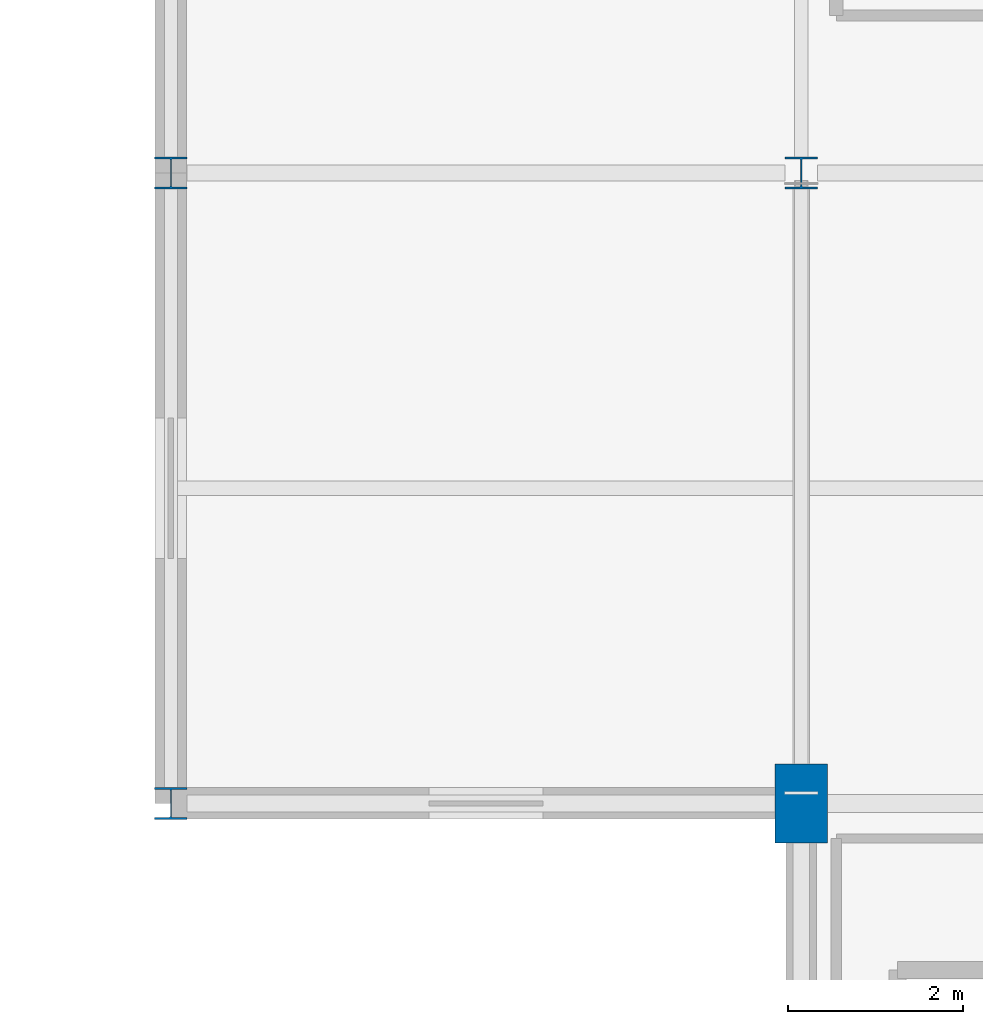
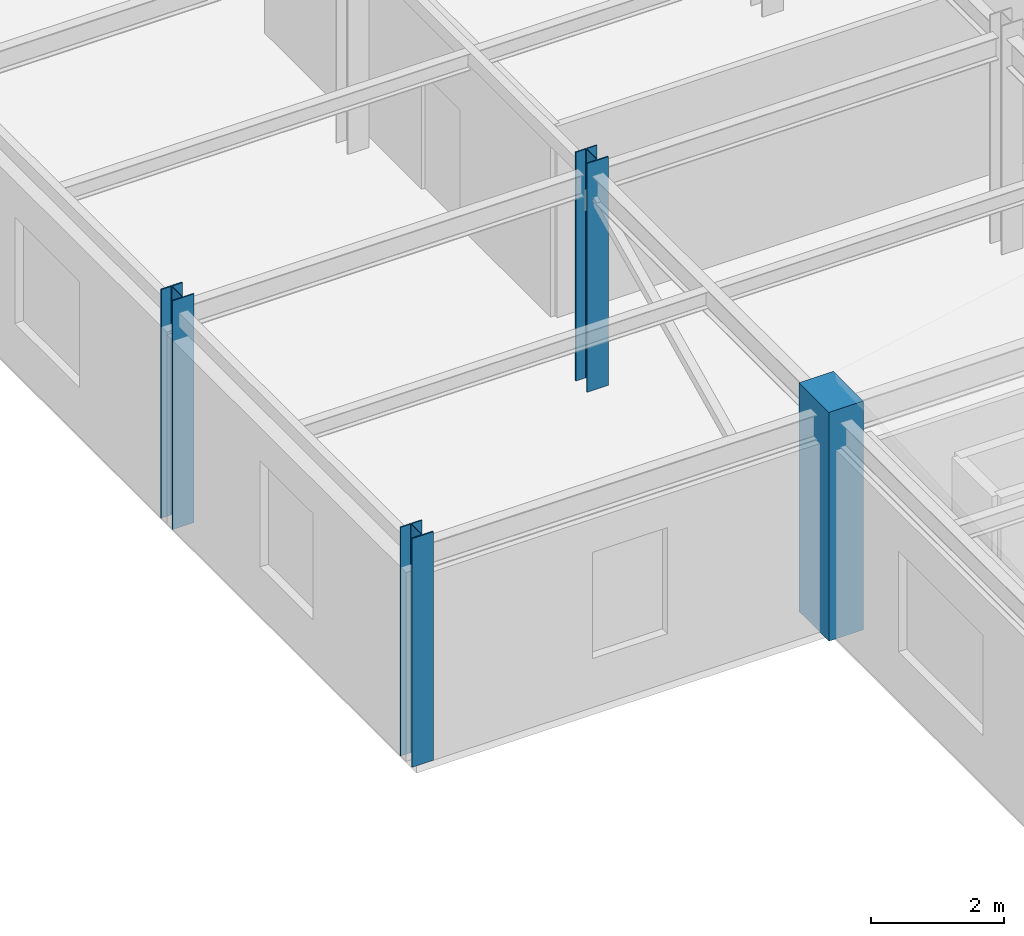
# One storey, part 5 of 113: 4 columns.
"""IFC4 building model written with IfcOpenShell, lengths in metres."""

import ifcopenshell
import ifcopenshell.guid

model = None  # the IFC model being written
_history = None  # IfcOwnerHistory: only IFC2X3 demands one
_inside = {}  # id of a spatial element -> (the spatial element, [elements in it])
_under = {}  # id of a project, library or spatial element -> (it, [spatial elements below it])
_declared = {}  # id of a project -> (the project, [libraries it declares])
_typed = {}  # id of a type object -> (the type object, [elements of that type])
_made_of = {}  # id of a material, layer set ... -> (it, [elements and type objects made of it])


def new_model(schema):
    """Start an empty IFC model of exactly this schema.

    Asked for "IFC4X3", IfcOpenShell would pick the latest addendum, in which some entities
    have other attributes; the version numbers below select the first issue.
    IFC2X3 requires an IfcOwnerHistory on every rooted entity: one is made here for all.
    """
    global model, _history
    if schema == "IFC4X3":
        model = ifcopenshell.file(schema_version=(4, 3, 0, 0))
    else:
        model = ifcopenshell.file(schema=schema)
    _inside.clear()
    _under.clear()
    _declared.clear()
    _typed.clear()
    _made_of.clear()
    _history = None
    if model.schema == "IFC2X3":
        org = make("IfcOrganization", Name="unknown")
        user = make(
            "IfcPersonAndOrganization",
            ThePerson=make("IfcPerson", FamilyName="unknown"),
            TheOrganization=org,
        )
        app = make(
            "IfcApplication",
            ApplicationDeveloper=org,
            Version="unknown",
            ApplicationFullName="unknown",
            ApplicationIdentifier="unknown",
        )
        _history = make(
            "IfcOwnerHistory",
            OwningUser=user,
            OwningApplication=app,
            ChangeAction="ADDED",
            CreationDate=0,
        )
    return model


def make(cls, **values):
    """One entity of the class cls with the attributes given. An attribute that is None is left unset."""
    return model.create_entity(
        cls, **{name: value for name, value in values.items() if value is not None}
    )


def rooted(cls, **values):
    """An entity with a GlobalId (a new one), such as an element, a storey or a relation."""
    return make(cls, GlobalId=ifcopenshell.guid.new(), OwnerHistory=_history, **values)


def si_unit(unit_type, name, prefix=None):
    """IfcSIUnit, for example si_unit("LENGTHUNIT", "METRE", prefix="MILLI")."""
    return make("IfcSIUnit", UnitType=unit_type, Prefix=prefix, Name=name)


def assignment(units):
    """IfcUnitAssignment: the units of a project."""
    return None if units is None else make("IfcUnitAssignment", Units=units)


def point(xyz):
    """IfcCartesianPoint."""
    return None if xyz is None else make("IfcCartesianPoint", Coordinates=xyz)


def direction(xyz):
    """IfcDirection."""
    return None if xyz is None else make("IfcDirection", DirectionRatios=xyz)


def frame(location, z_axis=None, x_axis=None):
    """IfcAxis2Placement3D, a coordinate frame: its origin and axes. An axis left out is left unset."""
    return make(
        "IfcAxis2Placement3D",
        Location=point(location),
        Axis=direction(z_axis),
        RefDirection=direction(x_axis),
    )


def frame_2d(location, x_axis=None):
    """IfcAxis2Placement2D, a coordinate frame in the plane: its origin and x axis."""
    return make(
        "IfcAxis2Placement2D", Location=point(location), RefDirection=direction(x_axis)
    )


def origin():
    """The frame at (0, 0, 0) with its axes left unset."""
    return frame((0.0, 0.0, 0.0))


def origin_2d():
    """The frame at (0, 0) in the plane with its x axis left unset."""
    return frame_2d((0.0, 0.0))


def place(relative_to, where):
    """IfcLocalPlacement: puts the frame where relative to a parent placement (None: the world)."""
    return make(
        "IfcLocalPlacement", PlacementRelTo=relative_to, RelativePlacement=where
    )


def context(
    kind, dimensions, precision=None, world=None, true_north=None, identifier=None
):
    """IfcGeometricRepresentationContext, for example the 3D "Model" context."""
    return make(
        "IfcGeometricRepresentationContext",
        ContextIdentifier=identifier,
        ContextType=kind,
        CoordinateSpaceDimension=dimensions,
        Precision=precision,
        WorldCoordinateSystem=world,
        TrueNorth=true_north,
    )


def subcontext(parent, identifier, kind, view, scale=None):
    """IfcGeometricRepresentationSubContext, for example "Body" below "Model"."""
    return make(
        "IfcGeometricRepresentationSubContext",
        ContextIdentifier=identifier,
        ContextType=kind,
        ParentContext=parent,
        TargetScale=scale,
        TargetView=view,
    )


def project(units=None, contexts=None):
    """IfcProject with its units and contexts."""
    return rooted(
        "IfcProject",
        Name="project",
        RepresentationContexts=contexts,
        UnitsInContext=assignment(units),
    )


def spatial(cls, under=None, at=None, **own):
    """A site, building, storey or space (cls), placed at a placement, below another one or the project."""
    s = rooted(cls, ObjectPlacement=at, **own)
    if under is not None:
        _under.setdefault(under.id(), (under, []))[1].append(s)
    return s


def profile(cls, at=None, kind="AREA", **sizes):
    """A parametric profile (cls). Its sizes go by their IFC names, for example OverallWidth=200.0."""
    return make(cls, ProfileType=kind, Position=at, **sizes)


def rectangle(**sizes):
    """IfcRectangleProfileDef."""
    return profile("IfcRectangleProfileDef", **sizes)


def i_section(**sizes):
    """IfcIShapeProfileDef."""
    return profile("IfcIShapeProfileDef", **sizes)


def extrude(swept, where, along, depth):
    """IfcExtrudedAreaSolid: the profile swept, set in the frame where, extruded along a direction by depth."""
    return make(
        "IfcExtrudedAreaSolid",
        SweptArea=swept,
        Position=where,
        ExtrudedDirection=direction(along),
        Depth=depth,
    )


def shape(context_of_items, identifier, shape_type, items):
    """IfcShapeRepresentation: the items that make up one representation, for example the "Body"."""
    return make(
        "IfcShapeRepresentation",
        ContextOfItems=context_of_items,
        RepresentationIdentifier=identifier,
        RepresentationType=shape_type,
        Items=items,
    )


def material(Name=None, Category=None):
    """IfcMaterial."""
    return make("IfcMaterial", Name=Name, Category=Category)


def material_profile(
    of_material, cross_section, Name=None, Category=None, Priority=None
):
    """IfcMaterialProfile: a cross section and its material."""
    return make(
        "IfcMaterialProfile",
        Name=Name,
        Material=of_material,
        Profile=cross_section,
        Priority=Priority,
        Category=Category,
    )


def profile_set(profiles, Name=None, composite=None):
    """IfcMaterialProfileSet."""
    return make(
        "IfcMaterialProfileSet",
        Name=Name,
        MaterialProfiles=profiles,
        CompositeProfile=composite,
    )


def made_of(thing, what):
    """Note that an element or type object is made of a material, layer set ...; save() writes the relation."""
    if what is not None:
        _made_of.setdefault(what.id(), (what, []))[1].append(thing)
    return thing


def type_object(cls, material=None, **own):
    """A type object (cls), such as IfcWallType, which elements share."""
    return made_of(rooted(cls, **own), material)


def element(
    cls,
    number,
    at=None,
    inside=None,
    cuts=None,
    type_object=None,
    material=None,
    context=None,
    identifier="Body",
    shape_type=None,
    held_by="IfcProductDefinitionShape",
    body=None,
    shapes=None,
    **own,
):
    """One element of the class cls, such as IfcWall. Its Tag is "e" and its number.

    at: its placement. inside: the storey or other place that contains it. cuts: it is an
    opening in that element (IfcRelVoidsElement). A single representation is given by context,
    identifier, shape_type and body (its items); several are given by shapes. held_by: the class
    of the entity that holds the representations. save() writes the other relations.
    """
    e = rooted(cls, Tag="e%d" % number, ObjectPlacement=at, **own)
    if body is not None:
        shapes = [shape(context, identifier, shape_type, body)]
    if shapes is not None:
        e.Representation = make(held_by, Representations=shapes)
    if inside is not None:
        _inside.setdefault(inside.id(), (inside, []))[1].append(e)
    if cuts is not None:
        rooted(
            "IfcRelVoidsElement", RelatingBuildingElement=cuts, RelatedOpeningElement=e
        )
    if type_object is not None:
        _typed.setdefault(type_object.id(), (type_object, []))[1].append(e)
    return made_of(e, material)


def aggregate(whole, parts):
    """IfcRelAggregates: a whole, such as a stair, and the parts it consists of."""
    return rooted("IfcRelAggregates", RelatingObject=whole, RelatedObjects=parts)


def save(model, path):
    """Write the relations noted so far, then the file.

    IfcRelAggregates (storeys below a building ...), IfcRelContainedInSpatialStructure (elements
    in a storey), IfcRelDefinesByType, IfcRelAssociatesMaterial and IfcRelDeclares: one each for
    every whole, place, type object, material and project.
    """
    for whole, parts in _under.values():
        aggregate(whole, parts)
    for where, things in _inside.values():
        rooted(
            "IfcRelContainedInSpatialStructure",
            RelatedElements=things,
            RelatingStructure=where,
        )
    for kind, things in _typed.values():
        rooted("IfcRelDefinesByType", RelatedObjects=things, RelatingType=kind)
    for what, things in _made_of.values():
        rooted("IfcRelAssociatesMaterial", RelatedObjects=things, RelatingMaterial=what)
    for by, libraries in _declared.values():
        rooted("IfcRelDeclares", RelatingContext=by, RelatedDefinitions=libraries)
    model.write(path)


model = new_model("IFC4")

# Units and contexts
model_context = context("Model", 3, precision=1e-05, world=origin(), true_north=direction((0.0, 1.0)))
body_context = subcontext(model_context, "Body", "Model", "MODEL_VIEW")
ifc_project = project(units=[si_unit("LENGTHUNIT", "METRE"), si_unit("AREAUNIT", "SQUARE_METRE"), si_unit("VOLUMEUNIT", "CUBIC_METRE"), si_unit("PLANEANGLEUNIT", "RADIAN"), si_unit("MASSUNIT", "GRAM", prefix="KILO")], contexts=[model_context])

# Site, building, storey
site_placement = place(None, origin())
site = spatial("IfcSite", under=ifc_project, at=site_placement, CompositionType="ELEMENT")
building_placement = place(site_placement, origin())
building = spatial("IfcBuilding", under=site, at=building_placement, Name="Carrowvane Square Congress Hotel", CompositionType="ELEMENT")
storey_placement = place(building_placement, frame((0.0, 0.0, 15.0)))
storey = spatial("IfcBuildingStorey", under=building, at=storey_placement, Name="L03", CompositionType="ELEMENT", Elevation=15.0)

# Columns
ifc_material_1 = material(Name="Concrete C40/50", Category="concrete")
ifc_material_profile_1 = material_profile(ifc_material_1, rectangle(XDim=0.60009765625, YDim=0.89990234375, at=origin_2d()), Name="RC 600x900")
ifc_profile_set_1 = profile_set([ifc_material_profile_1], Name="Concrete C40/50")
column_type_1 = type_object("IfcColumnType", Name="COL-RC-600x900", PredefinedType="COLUMN", material=ifc_profile_set_1)
column_placement = place(storey_placement, frame((134.0, 55.800048828125, 0.0), z_axis=(0.0, 0.0, 1.0), x_axis=(1.0, 0.0, 0.0)))
element("IfcColumn", 1, at=column_placement, inside=storey, type_object=column_type_1, Name="L03 column 18/H", PredefinedType="COLUMN", context=body_context, shape_type="SweptSolid", body=[
    extrude(rectangle(XDim=0.60009765625, YDim=0.89990234375, at=origin_2d()), origin(), (0.0, 0.0, 1.0), 4.199951171875),
])
ifc_material_2 = material(Name="Steel S355", Category="steel")
ifc_material_profile_2 = material_profile(ifc_material_2, i_section(OverallWidth=0.37060546875, OverallDepth=0.362060546875, WebThickness=0.01220703125, FlangeThickness=0.020751953125, FilletRadius=0.01513671875, at=origin_2d()), Name="UKC 356x368x153")
ifc_profile_set_2 = profile_set([ifc_material_profile_2], Name="Steel S355")
column_type_2 = type_object("IfcColumnType", Name="COL-ST-UKC356", PredefinedType="COLUMN", material=ifc_profile_set_2)
for number, where, z_axis, x_axis, name in (
    (2, (126.800048828125, 55.800048828125, 0.0), (0.0, 0.0, 1.0), (1.0, 0.0, 0.0), "L03 column 17/H"),
    (3, (126.800048828125, 63.0, 0.0), (0.0, 0.0, 1.0), (1.0, 0.0, 0.0), "L03 column 17/J"),
    (4, (134.0, 63.0, 0.0), (0.0, 0.0, 1.0), (1.0, 0.0, 0.0), "L03 column 18/J"),
):
    element("IfcColumn", number, at=place(storey_placement, frame(where, z_axis=z_axis, x_axis=x_axis)), inside=storey, type_object=column_type_2, Name=name, PredefinedType="COLUMN", context=body_context, shape_type="SweptSolid", body=[
        extrude(i_section(OverallWidth=0.37060546875, OverallDepth=0.362060546875, WebThickness=0.01220703125, FlangeThickness=0.020751953125, FilletRadius=0.01513671875, at=origin_2d()), origin(), (0.0, 0.0, 1.0), 4.199951171875),
    ])

save(model, "model.ifc")
